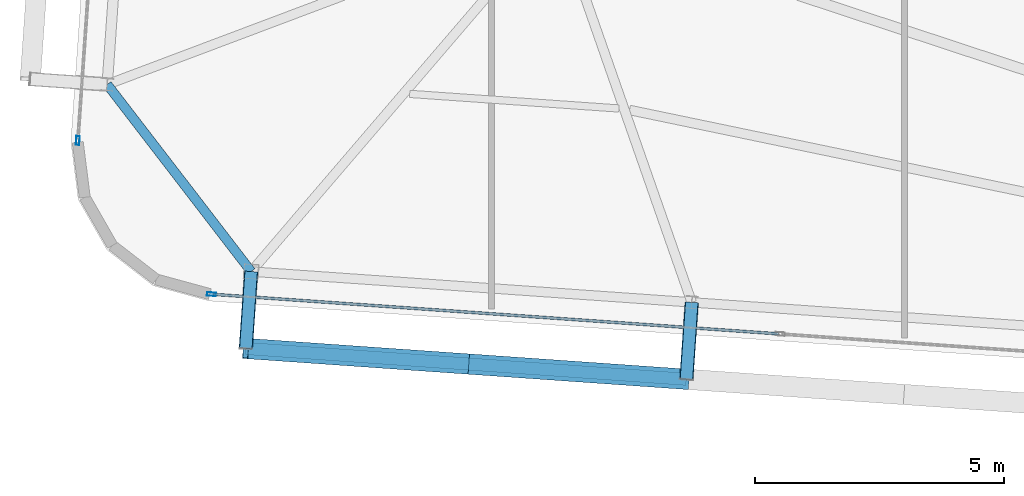
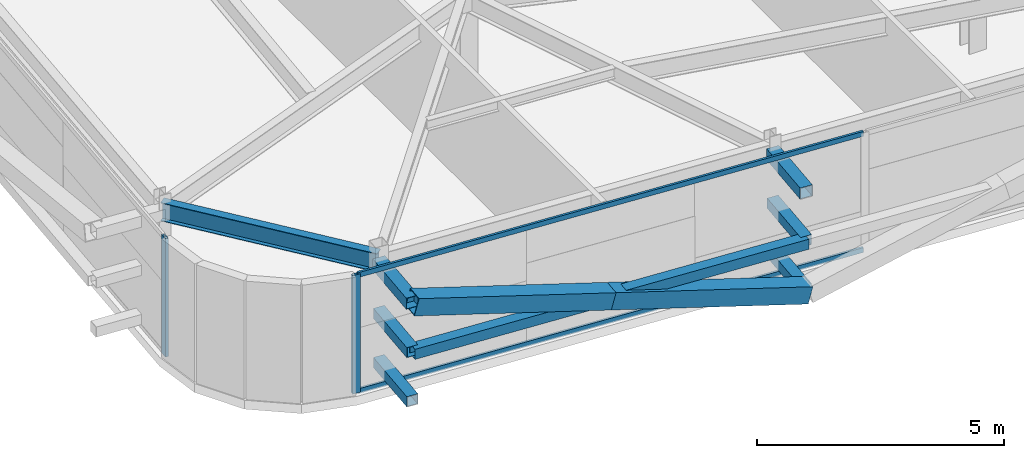
# One storey, part 6 of 39: 13 members, 1 beam, 2 elements without a shape of their own.
"""IFC4 building model written with IfcOpenShell, lengths in metres."""

from ifc_helpers import new_model, si_unit, direction, frame, origin, origin_2d, place, context, subcontext, project, spatial, hollow_rectangle, i_section, extrude, source, transform, mapped, material, layer, layer_set, material_profile, profile_set, type_object, element, aggregate, save


model = new_model("IFC4")

# Units and contexts
model_context = context("Model", 3, precision=1e-05, world=origin(), true_north=direction((0.0, 1.0)))
body_context = subcontext(model_context, "Body", "Model", "MODEL_VIEW")
ifc_project = project(units=[si_unit("LENGTHUNIT", "METRE"), si_unit("AREAUNIT", "SQUARE_METRE"), si_unit("VOLUMEUNIT", "CUBIC_METRE"), si_unit("PLANEANGLEUNIT", "RADIAN"), si_unit("MASSUNIT", "GRAM", prefix="KILO")], contexts=[model_context])

# Site, building, storey
site_placement = place(None, origin())
site = spatial("IfcSite", under=ifc_project, at=site_placement, CompositionType="ELEMENT")
building_placement = place(site_placement, origin())
building = spatial("IfcBuilding", under=site, at=building_placement, Name="Taldren Reach Tower", CompositionType="ELEMENT")
storey_placement = place(building_placement, frame((0.0, 0.0, 148.75)))
storey = spatial("IfcBuildingStorey", under=building, at=storey_placement, Name="L45", CompositionType="ELEMENT", Elevation=148.75)

# Members
ifc_material_1 = material(Name="Steel Gr 450 (C450L0)", Category="steel")
ifc_material_profile_1 = material_profile(ifc_material_1, hollow_rectangle(XDim=0.27490234375, YDim=0.27490234375, WallThickness=0.00927734375, at=origin_2d()), Name="275x275x9.3SHS")
ifc_profile_set_1 = profile_set([ifc_material_profile_1], Name="Steel Gr 450 (C450L0)")
member_type_1 = type_object("IfcMemberType", Name="MB-TIE273", PredefinedType="STRUT", material=ifc_profile_set_1)
shared_shape_1 = source(origin(), body_context, "Body", "SweptSolid", [
    extrude(hollow_rectangle(XDim=0.27490234375, YDim=0.27490234375, WallThickness=0.00927734375, at=origin_2d()), origin(), (0.0, 0.0, 1.0), 1.5498046875),
])
for number, where, z_axis, x_axis, name in (
    (1, (11.863525390625, 5.33837890625, 2.64990234375), (-0.069780535098, -0.997562367434, 0.0), (0.997562367434, -0.069780535098, 0.0), "Exoskeleton diaphragm tie strut B3-S1 L45"),
    (2, (20.721923828125, 4.718994140625, 2.64990234375), (-0.069780535098, -0.997562367434, 0.0), (0.997562367434, -0.069780535098, 0.0), "Exoskeleton diaphragm tie strut B3-S2 L45"),
):
    element("IfcMember", number, at=place(storey_placement, frame(where, z_axis=z_axis, x_axis=x_axis)), inside=storey, type_object=member_type_1, Name=name, PredefinedType="STRUT", context=body_context, shape_type="MappedRepresentation", body=[
        mapped(shared_shape_1, transform((0.0, 0.0, 0.0), scale=1.0)),
    ])
ifc_material_2 = material(Name="Steel Gr 350 (C350L0)", Category="steel")
ifc_material_profile_2 = material_profile(ifc_material_2, hollow_rectangle(XDim=0.25, YDim=0.25, WallThickness=0.010009765625, at=origin_2d()), Name="250x250x10.0SHS")
ifc_profile_set_2 = profile_set([ifc_material_profile_2], Name="Steel Gr 350 (C350L0)")
member_type_2 = type_object("IfcMemberType", Name="MB-POST250", PredefinedType="POST", material=ifc_profile_set_2)
shared_shape_2 = source(origin(), body_context, "Body", "SweptSolid", [
    extrude(hollow_rectangle(XDim=0.25, YDim=0.25, WallThickness=0.010009765625, at=origin_2d()), origin(), (0.0, 0.0, 1.0), 1.5498046875),
])
for number, where, z_axis, x_axis, name in (
    (3, (11.863525390625, 5.33837890625, 0.219970703125), (-0.069780535098, -0.997562367434, 0.0), (0.997562367434, -0.069780535098, 0.0), "Exoskeleton base diaphragm tie strut B3-S1 L45"),
    (4, (20.721923828125, 4.718994140625, 0.219970703125), (-0.069780535098, -0.997562367434, 0.0), (0.997562367434, -0.069780535098, 0.0), "Exoskeleton base diaphragm tie strut B3-S2 L45"),
    (5, (11.863525390625, 5.33837890625, 1.43505859375), (-0.069780535098, -0.997562367434, 0.0), (0.997562367434, -0.069780535098, 0.0), "Exoskeleton mid-tier diaphragm tie B3-S1 L45"),
    (6, (20.721923828125, 4.718994140625, 1.43505859375), (-0.069780535098, -0.997562367434, 0.0), (0.997562367434, -0.069780535098, 0.0), "Exoskeleton mid-tier diaphragm tie B3-S2 L45"),
):
    element("IfcMember", number, at=place(storey_placement, frame(where, z_axis=z_axis, x_axis=x_axis)), inside=storey, type_object=member_type_2, Name=name, PredefinedType="POST", context=body_context, shape_type="MappedRepresentation", body=[
        mapped(shared_shape_2, transform((0.0, 0.0, 0.0), scale=1.0)),
    ])

# Beam
ifc_material_3 = material(Name="Steel Gr 350 (350PLUS)", Category="steel")
ifc_material_profile_3 = material_profile(ifc_material_3, i_section(OverallWidth=0.18994140625, OverallDepth=0.4541015625, WebThickness=0.008544921875, FlangeThickness=0.0126953125, at=origin_2d()), Name="460UB67.1")
ifc_profile_set_3 = profile_set([ifc_material_profile_3], Name="Steel Gr 350 (350PLUS)")
beam_type = type_object("IfcBeamType", Name="SP-UB460B", PredefinedType="SPANDREL", material=ifc_profile_set_3)
shared_shape_3 = source(origin(), body_context, "Body", "SweptSolid", [
    extrude(i_section(OverallWidth=0.18994140625, OverallDepth=0.4541015625, WebThickness=0.008544921875, FlangeThickness=0.0126953125, at=origin_2d()), origin(), (0.0, 0.0, 1.0), 4.746337890625),
])
beam_placement = place(storey_placement, frame((8.96875, 9.099609375, 2.702880859375), z_axis=(0.609912099004, -0.792469072891, 0.0), x_axis=(0.792469072891, 0.609912099004, 0.0)))
element("IfcBeam", 7, at=beam_placement, inside=storey, type_object=beam_type, Name="Perimeter spandrel B3 W1-S1 L45", PredefinedType="SPANDREL", context=body_context, shape_type="MappedRepresentation", body=[
    mapped(shared_shape_3, transform((0.0, 0.0, 0.0), scale=1.0)),
])

# Members
shared_shape_4 = source(origin(), body_context, "Body", "SweptSolid", [
    extrude(hollow_rectangle(XDim=0.25, YDim=0.25, WallThickness=0.010009765625, at=origin_2d()), origin(), (0.0, 0.0, 1.0), 8.880126953125),
])
member_1_placement = place(storey_placement, frame((11.75537109375, 3.792236328125, 1.43505859375), z_axis=(0.997564479639, -0.069750333063, 0.0), x_axis=(0.069750333063, 0.997564479639, 0.0)))
element("IfcMember", 8, at=member_1_placement, inside=storey, type_object=member_type_2, Name="Exoskeleton mid-height ring chord B3-S1 L45", PredefinedType="POST", context=body_context, shape_type="MappedRepresentation", body=[
    mapped(shared_shape_4, transform((0.0, 0.0, 0.0), scale=1.0)),
])
ifc_material_profile_4 = material_profile(ifc_material_1, hollow_rectangle(XDim=0.409912109375, YDim=0.409912109375, WallThickness=0.01611328125, at=origin_2d()), Name="410x410x16.0SHS")
ifc_profile_set_4 = profile_set([ifc_material_profile_4], Name="Steel Gr 450 (C450L0)")
member_type_3 = type_object("IfcMemberType", Name="MB-EXO406", PredefinedType="BRACE", material=ifc_profile_set_4)
shared_shape_5 = source(origin(), body_context, "Body", "SweptSolid", [
    extrude(hollow_rectangle(XDim=0.409912109375, YDim=0.409912109375, WallThickness=0.01611328125, at=origin_2d()), origin(), (0.0, 0.0, 1.0), 4.603271484375),
])
for number, where, z_axis, x_axis, name in (
    (9, (20.61376953125, 3.1728515625, 0.219970703125), (-0.962185784239, 0.067250114343, 0.263962002434), (-0.069722973508, -0.997566392259, 0.0), "Exoskeleton Diagrid Brace B3-S1 L45"),
    (10, (16.1845703125, 3.482421875, 1.43505859375), (-0.962195820062, 0.067303852699, 0.263911718699), (-0.06977769246, -0.997562566276, 0.0), "Exoskeleton Diagrid Brace B3-S1 L45"),
):
    element("IfcMember", number, at=place(storey_placement, frame(where, z_axis=z_axis, x_axis=x_axis)), inside=storey, type_object=member_type_3, Name=name, PredefinedType="BRACE", context=body_context, shape_type="MappedRepresentation", body=[
        mapped(shared_shape_5, transform((0.0, 0.0, 0.0), scale=1.0)),
    ])

# Curtain wall, members
ifc_material_4 = material(Name="Aluminium and Low-E Glass Unitised System", Category="aluminium")
ifc_layer = layer(ifc_material_4, 0.159912109375)
ifc_layer_set = layer_set([ifc_layer], Name="Aluminium and Low-E Glass Unitised System")
curtain_wall_type = type_object("IfcCurtainWallType", Name="CW-SYS-4", PredefinedType="NOTDEFINED", material=ifc_layer_set)
curtain_wall_1_placement = place(storey_placement, origin())
curtain_wall_1 = element("IfcCurtainWall", 11, at=curtain_wall_1_placement, inside=storey, type_object=curtain_wall_type, Name="Unitised curtain wall CW-L45-S", PredefinedType="NOTDEFINED")
ifc_material_5 = material(Name="Anodised Aluminium 6063-T6", Category="aluminium")
ifc_material_profile_5 = material_profile(ifc_material_5, hollow_rectangle(XDim=0.054931640625, YDim=0.1201171875, WallThickness=0.0029296875, at=origin_2d()), Name="ALU-120x55x3RHS")
ifc_profile_set_5 = profile_set([ifc_material_profile_5], Name="Anodised Aluminium 6063-T6")
member_type_4 = type_object("IfcMemberType", Name="CW-TRN-135", PredefinedType="USERDEFINED", material=ifc_profile_set_5)
shared_shape_6 = source(origin(), body_context, "Body", "SweptSolid", [
    extrude(hollow_rectangle(XDim=0.054931640625, YDim=0.1201171875, WallThickness=0.0029296875, at=origin_2d()), origin(), (0.0, 0.0, 1.0), 11.39501953125),
])
member_2_placement = place(storey_placement, frame((11.099853515625, 4.880615234375, 0.027587890625), z_axis=(0.997563740682, -0.069760900766, 0.0), x_axis=(0.069760900766, 0.997563740682, 0.0)))
member_2 = element("IfcMember", 12, at=member_2_placement, type_object=member_type_4, Name="CW-4 transom 1.1", ObjectType="TRANSOM", PredefinedType="USERDEFINED", context=body_context, shape_type="MappedRepresentation", body=[
    mapped(shared_shape_6, transform((0.0, 0.0, 0.0), scale=1.0)),
])
member_3_placement = place(storey_placement, frame((11.099853515625, 4.880615234375, 2.902587890625), z_axis=(0.997563740682, -0.069760900766, 0.0), x_axis=(0.069760900766, 0.997563740682, 0.0)))
member_3 = element("IfcMember", 13, at=member_3_placement, type_object=member_type_4, Name="CW-4 transom 1.2", ObjectType="TRANSOM", PredefinedType="USERDEFINED", context=body_context, shape_type="MappedRepresentation", body=[
    mapped(shared_shape_6, transform((0.0, 0.0, 0.0), scale=1.0)),
])
ifc_material_profile_6 = material_profile(ifc_material_5, hollow_rectangle(XDim=0.070068359375, YDim=0.179931640625, WallThickness=0.00390625, at=origin_2d()), Name="ALU-180x70x4RHS")
ifc_profile_set_6 = profile_set([ifc_material_profile_6], Name="Anodised Aluminium 6063-T6")
member_type_5 = type_object("IfcMemberType", Name="CW-MUL-180", PredefinedType="MULLION", material=ifc_profile_set_6)
shared_shape_7 = source(origin(), body_context, "Body", "SweptSolid", [
    extrude(hollow_rectangle(XDim=0.070068359375, YDim=0.179931640625, WallThickness=0.00390625, at=origin_2d()), origin(), (0.0, 0.0, 1.0), 2.929931640625),
])
member_4_placement = place(storey_placement, frame((11.06494140625, 4.883056640625, 0.0), z_axis=(0.0, 0.0, 1.0), x_axis=(0.06975651593, 0.99756404731, 0.0)))
member_4 = element("IfcMember", 14, at=member_4_placement, type_object=member_type_5, Name="CW-4 mullion 1", PredefinedType="MULLION", context=body_context, shape_type="MappedRepresentation", body=[
    mapped(shared_shape_7, transform((0.0, 0.0, 0.0), scale=1.0)),
])
aggregate(curtain_wall_1, [member_4, member_2, member_3])

# Curtain wall, member
curtain_wall_2_placement = place(storey_placement, origin())
curtain_wall_2 = element("IfcCurtainWall", 15, at=curtain_wall_2_placement, inside=storey, type_object=curtain_wall_type, Name="Unitised curtain wall CW-L45-W", PredefinedType="NOTDEFINED")
member_5_placement = place(storey_placement, frame((8.37890625, 7.972900390625, 0.0), z_axis=(0.0, 0.0, 1.0), x_axis=(0.997564052812, -0.069756437251, 0.0)))
member_5 = element("IfcMember", 16, at=member_5_placement, type_object=member_type_5, Name="CW-4 mullion 3", PredefinedType="MULLION", context=body_context, shape_type="MappedRepresentation", body=[
    mapped(shared_shape_7, transform((0.0, 0.0, 0.0), scale=1.0)),
])
aggregate(curtain_wall_2, [member_5])

save(model, "model.ifc")
